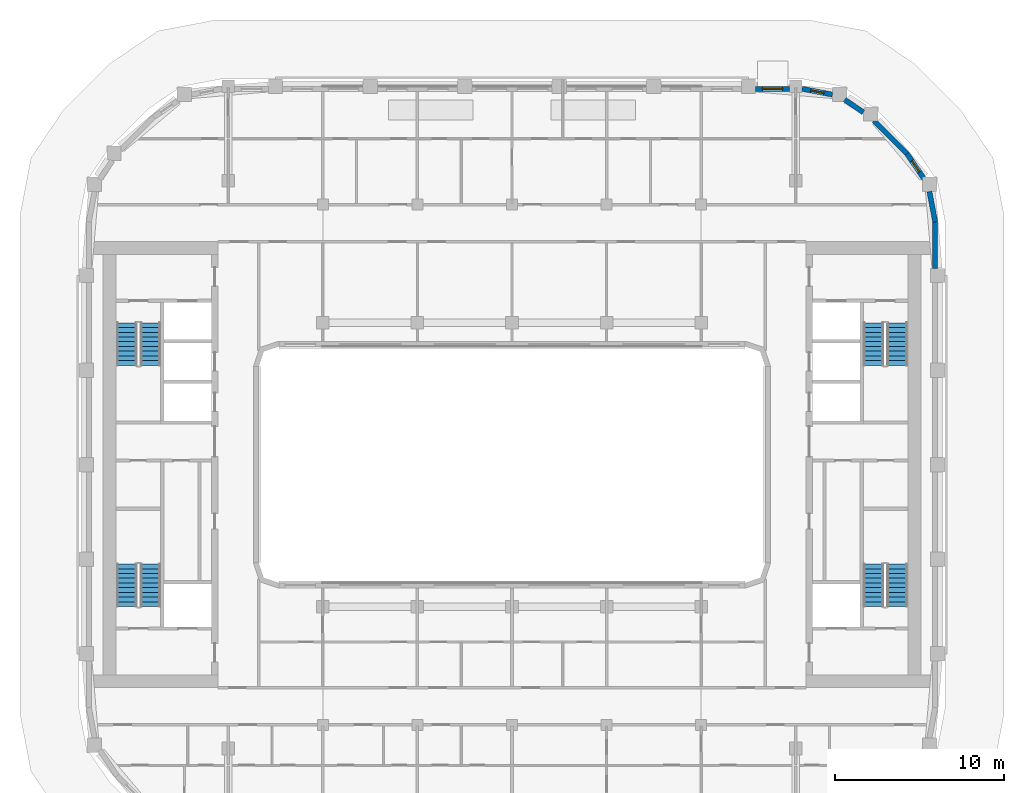
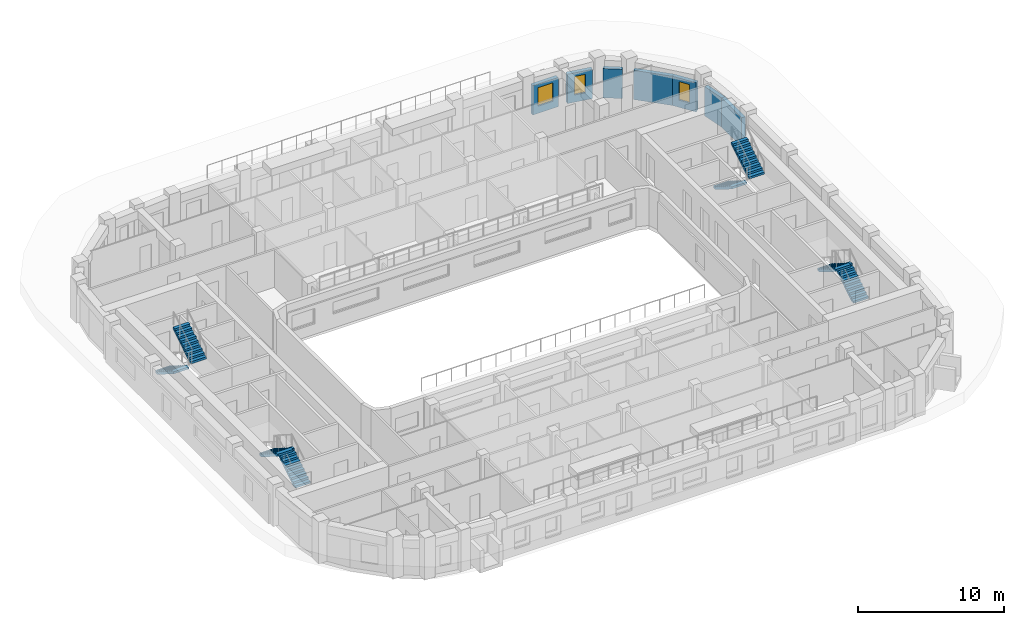
# One storey, part 9 of 16: 8 stair flights, 7 walls, 3 windows, 3 openings, 4 elements without a shape of their own.
"""IFC4 building model written with IfcOpenShell, lengths in metres."""

from ifc_helpers import new_model, si_unit, direction, frame, frame_2d, origin, place, context, subcontext, project, spatial, polyline, rectangle, outline, extrude, material, layer, layer_set, type_object, element, fill, aggregate, save


model = new_model("IFC4")

# Units and contexts
model_context = context("Model", 3, precision=1e-05, world=origin(), true_north=direction((0.0, 1.0)))
body_context = subcontext(model_context, "Body", "Model", "MODEL_VIEW")
ifc_project = project(units=[si_unit("LENGTHUNIT", "METRE"), si_unit("AREAUNIT", "SQUARE_METRE"), si_unit("VOLUMEUNIT", "CUBIC_METRE"), si_unit("PLANEANGLEUNIT", "RADIAN"), si_unit("MASSUNIT", "GRAM", prefix="KILO")], contexts=[model_context])

# Site, building, storey
site_placement = place(None, origin())
site = spatial("IfcSite", under=ifc_project, at=site_placement, CompositionType="ELEMENT")
building_placement = place(site_placement, origin())
building = spatial("IfcBuilding", under=site, at=building_placement, Name="Kiln Ring Residences", CompositionType="ELEMENT")
storey_placement = place(building_placement, frame((0.0, 0.0, 227.39990234375)))
storey = spatial("IfcBuildingStorey", under=building, at=storey_placement, Name="L59", CompositionType="ELEMENT", Elevation=227.39990234375)

# Walls
ifc_material_1 = material(Name="Brick masonry, dark clay brick", Category="masonry")
ifc_layer = layer(ifc_material_1, 0.300048828125)
ifc_layer_set = layer_set([ifc_layer], Name="EW-300 BRICK WALL")
wall_type = type_object("IfcWallType", Name="EW-300 BRICK WALL", PredefinedType="SOLIDWALL", material=ifc_layer_set)
wall_1_placement = place(storey_placement, frame((25.050048828125, 11.625, 0.0), z_axis=(0.0, 0.0, 1.0), x_axis=(0.0, 1.0, 0.0)))
element("IfcWall", 1, at=wall_1_placement, inside=storey, type_object=wall_type, Name="Facade wall L59 21", PredefinedType="SOLIDWALL", context=body_context, shape_type="SweptSolid", body=[
    extrude(rectangle(XDim=2.77490234375, YDim=0.300048828125, at=frame_2d((1.387451171875, 0.0))), origin(), (0.0, 0.0, 1.0), 2.4501953125),
])
wall_2_placement = place(storey_placement, frame((25.052734375, 14.371826171875, 0.0), z_axis=(0.0, 0.0, 1.0), x_axis=(-0.187442908742, 0.982275499014, 0.0)))
element("IfcWall", 2, at=wall_2_placement, inside=storey, type_object=wall_type, Name="Facade wall L59 22", PredefinedType="SOLIDWALL", context=body_context, shape_type="SweptSolid", body=[
    extrude(rectangle(XDim=1.831298828125, YDim=0.300048828125, at=frame_2d((0.91552734375, 0.0))), origin(), (0.0, 0.0, 1.0), 2.4501953125),
])

# Wall, opening, window
wall_3_placement = place(storey_placement, frame((24.408203125, 16.898193359375, 0.0), z_axis=(0.0, 0.0, 1.0), x_axis=(-0.562062033417, 0.827095079535, 0.0)))
wall_3 = element("IfcWall", 3, at=wall_3_placement, inside=storey, type_object=wall_type, Name="Facade wall L59 23", PredefinedType="SOLIDWALL", context=body_context, shape_type="SweptSolid", body=[
    extrude(rectangle(XDim=1.831298828125, YDim=0.300048828125, at=frame_2d((0.91552734375, 0.0))), origin(), (0.0, 0.0, 1.0), 2.4501953125),
])
opening_1_placement = place(wall_3_placement, frame((0.515625, 0.0, 0.60009765625)))
opening_1 = element("IfcOpeningElement", 4, at=opening_1_placement, cuts=wall_3, Name="Opening W5", PredefinedType="OPENING", context=body_context, shape_type="SweptSolid", body=[
    extrude(rectangle(XDim=0.800048828125, YDim=1.550048828125, at=frame_2d((0.39990234375, 0.77490234375))), frame((0.0, 0.159912109375, 0.0), z_axis=(0.0, -1.0, 0.0), x_axis=(1.0, 0.0, 0.0)), (0.0, 0.0, 1.0), 0.320068359375),
])
ifc_material_2 = material(Name="Aluminium frame with double glazing", Category="aluminium")
window_type_1 = type_object("IfcWindowType", Name="WINDOW 800 x 1550", PartitioningType="SINGLE_PANEL", PredefinedType="WINDOW", material=ifc_material_2)
window_1_placement = place(opening_1_placement, origin())
window_1 = element("IfcWindow", 5, at=window_1_placement, inside=storey, type_object=window_type_1, Name="Window L59 18", OverallHeight=1.550048828125, OverallWidth=0.800048828125, PartitioningType="SINGLE_PANEL", PredefinedType="WINDOW", context=body_context, shape_type="SweptSolid", body=[
    extrude(rectangle(XDim=0.800048828125, YDim=1.550048828125, at=frame_2d((0.39990234375, 0.77490234375))), frame((0.0, 0.030029296875, 0.0), z_axis=(0.0, -1.0, 0.0), x_axis=(1.0, 0.0, 0.0)), (0.0, 0.0, 1.0), 0.06005859375),
])
fill(opening_1, window_1)

# Walls
wall_4_placement = place(storey_placement, frame((23.39697265625, 18.390869140625, 0.0), z_axis=(0.0, 0.0, 1.0), x_axis=(-0.707106781187, 0.707106781187, 0.0)))
element("IfcWall", 6, at=wall_4_placement, inside=storey, type_object=wall_type, Name="Facade wall L59 24", PredefinedType="SOLIDWALL", context=body_context, shape_type="SweptSolid", body=[
    extrude(rectangle(XDim=2.775146484375, YDim=0.300048828125, at=frame_2d((1.3876953125, 0.0))), origin(), (0.0, 0.0, 1.0), 2.4501953125),
])
wall_5_placement = place(storey_placement, frame((20.7958984375, 20.862060546875, 0.0), z_axis=(0.0, 0.0, 1.0), x_axis=(-0.827035970432, 0.562149004813, 0.0)))
element("IfcWall", 7, at=wall_5_placement, inside=storey, type_object=wall_type, Name="Facade wall L59 25", PredefinedType="SOLIDWALL", context=body_context, shape_type="SweptSolid", body=[
    extrude(rectangle(XDim=1.3271484375, YDim=0.300048828125, at=frame_2d((0.66357421875, 0.0))), origin(), (0.0, 0.0, 1.0), 2.4501953125),
])

# Wall, opening, window
wall_6_placement = place(storey_placement, frame((18.970703125, 21.90966796875, 0.0), z_axis=(0.0, 0.0, 1.0), x_axis=(-0.982300037503, 0.187314271538, 0.0)))
wall_6 = element("IfcWall", 8, at=wall_6_placement, inside=storey, type_object=wall_type, Name="Facade wall L59 26", PredefinedType="SOLIDWALL", context=body_context, shape_type="SweptSolid", body=[
    extrude(rectangle(XDim=1.831298828125, YDim=0.300048828125, at=frame_2d((0.91552734375, 0.0))), origin(), (0.0, 0.0, 1.0), 2.4501953125),
])
opening_2_placement = place(wall_6_placement, frame((0.515625, 0.0, 0.60009765625)))
opening_2 = element("IfcOpeningElement", 9, at=opening_2_placement, cuts=wall_6, Name="Opening W5", PredefinedType="OPENING", context=body_context, shape_type="SweptSolid", body=[
    extrude(rectangle(XDim=0.800048828125, YDim=1.550048828125, at=frame_2d((0.39990234375, 0.77490234375))), frame((0.0, 0.159912109375, 0.0), z_axis=(0.0, -1.0, 0.0), x_axis=(1.0, 0.0, 0.0)), (0.0, 0.0, 1.0), 0.320068359375),
])
window_2_placement = place(opening_2_placement, origin())
window_2 = element("IfcWindow", 10, at=window_2_placement, inside=storey, type_object=window_type_1, Name="Window L59 19", OverallHeight=1.550048828125, OverallWidth=0.800048828125, PartitioningType="SINGLE_PANEL", PredefinedType="WINDOW", context=body_context, shape_type="SweptSolid", body=[
    extrude(rectangle(XDim=0.800048828125, YDim=1.550048828125, at=frame_2d((0.39990234375, 0.77490234375))), frame((0.0, 0.030029296875, 0.0), z_axis=(0.0, -1.0, 0.0), x_axis=(1.0, 0.0, 0.0)), (0.0, 0.0, 1.0), 0.06005859375),
])
fill(opening_2, window_2)

wall_7_placement = place(storey_placement, frame((16.425048828125, 22.25, 0.0), z_axis=(0.0, 0.0, 1.0), x_axis=(-1.0, 0.0, 0.0)))
wall_7 = element("IfcWall", 11, at=wall_7_placement, inside=storey, type_object=wall_type, Name="Facade wall L59 27", PredefinedType="SOLIDWALL", context=body_context, shape_type="SweptSolid", body=[
    extrude(rectangle(XDim=2.0, YDim=0.300048828125, at=frame_2d((1.0, 0.0))), origin(), (0.0, 0.0, 1.0), 2.4501953125),
])
opening_3_placement = place(wall_7_placement, frame((0.39990234375, 0.0, 0.60009765625)))
opening_3 = element("IfcOpeningElement", 12, at=opening_3_placement, cuts=wall_7, Name="Opening W1", PredefinedType="OPENING", context=body_context, shape_type="SweptSolid", body=[
    extrude(rectangle(XDim=1.199951171875, YDim=1.550048828125, at=frame_2d((0.60009765625, 0.77490234375))), frame((0.0, 0.159912109375, 0.0), z_axis=(0.0, -1.0, 0.0), x_axis=(1.0, 0.0, 0.0)), (0.0, 0.0, 1.0), 0.320068359375),
])
ifc_material_3 = material(Name="Aluminium frame with double glazing", Category="aluminium")
window_type_2 = type_object("IfcWindowType", Name="WINDOW 1200 x 1550", PartitioningType="SINGLE_PANEL", PredefinedType="WINDOW", material=ifc_material_3)
window_3_placement = place(opening_3_placement, origin())
window_3 = element("IfcWindow", 13, at=window_3_placement, inside=storey, type_object=window_type_2, Name="Window L59 20", OverallHeight=1.550048828125, OverallWidth=1.199951171875, PartitioningType="SINGLE_PANEL", PredefinedType="WINDOW", context=body_context, shape_type="SweptSolid", body=[
    extrude(rectangle(XDim=1.199951171875, YDim=1.550048828125, at=frame_2d((0.60009765625, 0.77490234375))), frame((0.0, 0.030029296875, 0.0), z_axis=(0.0, -1.0, 0.0), x_axis=(1.0, 0.0, 0.0)), (0.0, 0.0, 1.0), 0.06005859375),
])
fill(opening_3, window_3)

# Stair, stair flights
ifc_material_4 = material(Name="Concrete C40/50", Category="concrete")
stair_type = type_object("IfcStairType", Name="CORE-STAIR", PredefinedType="HALF_TURN_STAIR", material=ifc_material_4)
placement = place(storey_placement, origin())
stair_1 = element("IfcStair", 14, at=placement, inside=storey, type_object=stair_type, Name="L59 stair W-STN", PredefinedType="HALF_TURN_STAIR")
ifc_material_5 = material(Name="Concrete C40/50", Category="concrete")
stair_flight_type = type_object("IfcStairFlightType", Name="CORE-STAIR-FLIGHT", PredefinedType="STRAIGHT", material=ifc_material_5)
stair_flight_1_placement = place(storey_placement, frame((-22.800048828125, 8.39990234375, 0.0), z_axis=(0.0, 0.0, 1.0), x_axis=(0.0, -1.0, 0.0)))
stair_flight_1 = element("IfcStairFlight", 15, at=stair_flight_1_placement, type_object=stair_flight_type, Name="W-STN flight 1", NumberOfRisers=10, NumberOfTreads=9, PredefinedType="STRAIGHT", RiserHeight=0.175, TreadLength=0.28, context=body_context, shape_type="SweptSolid", body=[
    extrude(outline(polyline([(0.0, 0.0), (0.0, 0.175048828125), (0.280029296875, 0.175048828125), (0.280029296875, 0.35009765625), (0.56005859375, 0.35009765625), (0.56005859375, 0.52490234375), (0.840087890625, 0.52490234375), (0.840087890625, 0.699951171875), (1.1201171875, 0.699951171875), (1.1201171875, 0.875), (1.39990234375, 0.875), (1.39990234375, 1.050048828125), (1.679931640625, 1.050048828125), (1.679931640625, 1.22509765625), (1.9599609375, 1.22509765625), (1.9599609375, 1.39990234375), (2.239990234375, 1.39990234375), (2.239990234375, 1.574951171875), (2.52001953125, 1.574951171875), (2.52001953125, 1.75), (2.52001953125, 1.398193359375), (0.28271484375, 0.0), (0.0, 0.0)])), frame((0.0, 0.60009765625, 0.0), z_axis=(0.0, -1.0, 0.0), x_axis=(1.0, 0.0, 0.0)), (0.0, 0.0, 1.0), 1.199951171875),
])
stair_flight_2_placement = place(storey_placement, frame((-21.39990234375, 5.8798828125, 1.75), z_axis=(0.0, 0.0, 1.0), x_axis=(0.0, 1.0, 0.0)))
stair_flight_2 = element("IfcStairFlight", 16, at=stair_flight_2_placement, type_object=stair_flight_type, Name="W-STN flight 2", NumberOfRisers=10, NumberOfTreads=9, PredefinedType="STRAIGHT", RiserHeight=0.175, TreadLength=0.28, context=body_context, shape_type="SweptSolid", body=[
    extrude(outline(polyline([(0.0, 0.0), (0.0, 0.175048828125), (0.280029296875, 0.175048828125), (0.280029296875, 0.35009765625), (0.56005859375, 0.35009765625), (0.56005859375, 0.52490234375), (0.840087890625, 0.52490234375), (0.840087890625, 0.699951171875), (1.1201171875, 0.699951171875), (1.1201171875, 0.875), (1.39990234375, 0.875), (1.39990234375, 1.050048828125), (1.679931640625, 1.050048828125), (1.679931640625, 1.22509765625), (1.9599609375, 1.22509765625), (1.9599609375, 1.39990234375), (2.239990234375, 1.39990234375), (2.239990234375, 1.574951171875), (2.52001953125, 1.574951171875), (2.52001953125, 1.75), (2.52001953125, 1.398193359375), (0.28271484375, 0.0), (0.0, 0.0)])), frame((0.0, 0.60009765625, 0.0), z_axis=(0.0, -1.0, 0.0), x_axis=(1.0, 0.0, 0.0)), (0.0, 0.0, 1.0), 1.199951171875),
])
aggregate(stair_1, [stair_flight_1, stair_flight_2])

stair_2 = element("IfcStair", 17, at=placement, inside=storey, type_object=stair_type, Name="L59 stair W-STS", PredefinedType="HALF_TURN_STAIR")
stair_flight_3_placement = place(storey_placement, frame((-21.39990234375, -8.39990234375, 0.0), z_axis=(0.0, 0.0, 1.0), x_axis=(0.0, 1.0, 0.0)))
stair_flight_3 = element("IfcStairFlight", 18, at=stair_flight_3_placement, type_object=stair_flight_type, Name="W-STS flight 1", NumberOfRisers=10, NumberOfTreads=9, PredefinedType="STRAIGHT", RiserHeight=0.175, TreadLength=0.28, context=body_context, shape_type="SweptSolid", body=[
    extrude(outline(polyline([(0.0, 0.0), (0.0, 0.175048828125), (0.280029296875, 0.175048828125), (0.280029296875, 0.35009765625), (0.56005859375, 0.35009765625), (0.56005859375, 0.52490234375), (0.840087890625, 0.52490234375), (0.840087890625, 0.699951171875), (1.1201171875, 0.699951171875), (1.1201171875, 0.875), (1.39990234375, 0.875), (1.39990234375, 1.050048828125), (1.679931640625, 1.050048828125), (1.679931640625, 1.22509765625), (1.9599609375, 1.22509765625), (1.9599609375, 1.39990234375), (2.239990234375, 1.39990234375), (2.239990234375, 1.574951171875), (2.52001953125, 1.574951171875), (2.52001953125, 1.75), (2.52001953125, 1.398193359375), (0.28271484375, 0.0), (0.0, 0.0)])), frame((0.0, 0.60009765625, 0.0), z_axis=(0.0, -1.0, 0.0), x_axis=(1.0, 0.0, 0.0)), (0.0, 0.0, 1.0), 1.199951171875),
])
stair_flight_4_placement = place(storey_placement, frame((-22.800048828125, -5.8798828125, 1.75), z_axis=(0.0, 0.0, 1.0), x_axis=(0.0, -1.0, 0.0)))
stair_flight_4 = element("IfcStairFlight", 19, at=stair_flight_4_placement, type_object=stair_flight_type, Name="W-STS flight 2", NumberOfRisers=10, NumberOfTreads=9, PredefinedType="STRAIGHT", RiserHeight=0.175, TreadLength=0.28, context=body_context, shape_type="SweptSolid", body=[
    extrude(outline(polyline([(0.0, 0.0), (0.0, 0.175048828125), (0.280029296875, 0.175048828125), (0.280029296875, 0.35009765625), (0.56005859375, 0.35009765625), (0.56005859375, 0.52490234375), (0.840087890625, 0.52490234375), (0.840087890625, 0.699951171875), (1.1201171875, 0.699951171875), (1.1201171875, 0.875), (1.39990234375, 0.875), (1.39990234375, 1.050048828125), (1.679931640625, 1.050048828125), (1.679931640625, 1.22509765625), (1.9599609375, 1.22509765625), (1.9599609375, 1.39990234375), (2.239990234375, 1.39990234375), (2.239990234375, 1.574951171875), (2.52001953125, 1.574951171875), (2.52001953125, 1.75), (2.52001953125, 1.398193359375), (0.28271484375, 0.0), (0.0, 0.0)])), frame((0.0, 0.60009765625, 0.0), z_axis=(0.0, -1.0, 0.0), x_axis=(1.0, 0.0, 0.0)), (0.0, 0.0, 1.0), 1.199951171875),
])
aggregate(stair_2, [stair_flight_3, stair_flight_4])

stair_3 = element("IfcStair", 20, at=placement, inside=storey, type_object=stair_type, Name="L59 stair E-STN", PredefinedType="HALF_TURN_STAIR")
stair_flight_5_placement = place(storey_placement, frame((21.39990234375, 8.39990234375, 0.0), z_axis=(0.0, 0.0, 1.0), x_axis=(0.0, -1.0, 0.0)))
stair_flight_5 = element("IfcStairFlight", 21, at=stair_flight_5_placement, type_object=stair_flight_type, Name="E-STN flight 1", NumberOfRisers=10, NumberOfTreads=9, PredefinedType="STRAIGHT", RiserHeight=0.175, TreadLength=0.28, context=body_context, shape_type="SweptSolid", body=[
    extrude(outline(polyline([(0.0, 0.0), (0.0, 0.175048828125), (0.280029296875, 0.175048828125), (0.280029296875, 0.35009765625), (0.56005859375, 0.35009765625), (0.56005859375, 0.52490234375), (0.840087890625, 0.52490234375), (0.840087890625, 0.699951171875), (1.1201171875, 0.699951171875), (1.1201171875, 0.875), (1.39990234375, 0.875), (1.39990234375, 1.050048828125), (1.679931640625, 1.050048828125), (1.679931640625, 1.22509765625), (1.9599609375, 1.22509765625), (1.9599609375, 1.39990234375), (2.239990234375, 1.39990234375), (2.239990234375, 1.574951171875), (2.52001953125, 1.574951171875), (2.52001953125, 1.75), (2.52001953125, 1.398193359375), (0.28271484375, 0.0), (0.0, 0.0)])), frame((0.0, 0.60009765625, 0.0), z_axis=(0.0, -1.0, 0.0), x_axis=(1.0, 0.0, 0.0)), (0.0, 0.0, 1.0), 1.199951171875),
])
stair_flight_6_placement = place(storey_placement, frame((22.800048828125, 5.8798828125, 1.75), z_axis=(0.0, 0.0, 1.0), x_axis=(0.0, 1.0, 0.0)))
stair_flight_6 = element("IfcStairFlight", 22, at=stair_flight_6_placement, type_object=stair_flight_type, Name="E-STN flight 2", NumberOfRisers=10, NumberOfTreads=9, PredefinedType="STRAIGHT", RiserHeight=0.175, TreadLength=0.28, context=body_context, shape_type="SweptSolid", body=[
    extrude(outline(polyline([(0.0, 0.0), (0.0, 0.175048828125), (0.280029296875, 0.175048828125), (0.280029296875, 0.35009765625), (0.56005859375, 0.35009765625), (0.56005859375, 0.52490234375), (0.840087890625, 0.52490234375), (0.840087890625, 0.699951171875), (1.1201171875, 0.699951171875), (1.1201171875, 0.875), (1.39990234375, 0.875), (1.39990234375, 1.050048828125), (1.679931640625, 1.050048828125), (1.679931640625, 1.22509765625), (1.9599609375, 1.22509765625), (1.9599609375, 1.39990234375), (2.239990234375, 1.39990234375), (2.239990234375, 1.574951171875), (2.52001953125, 1.574951171875), (2.52001953125, 1.75), (2.52001953125, 1.398193359375), (0.28271484375, 0.0), (0.0, 0.0)])), frame((0.0, 0.60009765625, 0.0), z_axis=(0.0, -1.0, 0.0), x_axis=(1.0, 0.0, 0.0)), (0.0, 0.0, 1.0), 1.199951171875),
])
aggregate(stair_3, [stair_flight_5, stair_flight_6])

stair_4 = element("IfcStair", 23, at=placement, inside=storey, type_object=stair_type, Name="L59 stair E-STS", PredefinedType="HALF_TURN_STAIR")
stair_flight_7_placement = place(storey_placement, frame((22.800048828125, -8.39990234375, 0.0), z_axis=(0.0, 0.0, 1.0), x_axis=(0.0, 1.0, 0.0)))
stair_flight_7 = element("IfcStairFlight", 24, at=stair_flight_7_placement, type_object=stair_flight_type, Name="E-STS flight 1", NumberOfRisers=10, NumberOfTreads=9, PredefinedType="STRAIGHT", RiserHeight=0.175, TreadLength=0.28, context=body_context, shape_type="SweptSolid", body=[
    extrude(outline(polyline([(0.0, 0.0), (0.0, 0.175048828125), (0.280029296875, 0.175048828125), (0.280029296875, 0.35009765625), (0.56005859375, 0.35009765625), (0.56005859375, 0.52490234375), (0.840087890625, 0.52490234375), (0.840087890625, 0.699951171875), (1.1201171875, 0.699951171875), (1.1201171875, 0.875), (1.39990234375, 0.875), (1.39990234375, 1.050048828125), (1.679931640625, 1.050048828125), (1.679931640625, 1.22509765625), (1.9599609375, 1.22509765625), (1.9599609375, 1.39990234375), (2.239990234375, 1.39990234375), (2.239990234375, 1.574951171875), (2.52001953125, 1.574951171875), (2.52001953125, 1.75), (2.52001953125, 1.398193359375), (0.28271484375, 0.0), (0.0, 0.0)])), frame((0.0, 0.60009765625, 0.0), z_axis=(0.0, -1.0, 0.0), x_axis=(1.0, 0.0, 0.0)), (0.0, 0.0, 1.0), 1.199951171875),
])
stair_flight_8_placement = place(storey_placement, frame((21.39990234375, -5.8798828125, 1.75), z_axis=(0.0, 0.0, 1.0), x_axis=(0.0, -1.0, 0.0)))
stair_flight_8 = element("IfcStairFlight", 25, at=stair_flight_8_placement, type_object=stair_flight_type, Name="E-STS flight 2", NumberOfRisers=10, NumberOfTreads=9, PredefinedType="STRAIGHT", RiserHeight=0.175, TreadLength=0.28, context=body_context, shape_type="SweptSolid", body=[
    extrude(outline(polyline([(0.0, 0.0), (0.0, 0.175048828125), (0.280029296875, 0.175048828125), (0.280029296875, 0.35009765625), (0.56005859375, 0.35009765625), (0.56005859375, 0.52490234375), (0.840087890625, 0.52490234375), (0.840087890625, 0.699951171875), (1.1201171875, 0.699951171875), (1.1201171875, 0.875), (1.39990234375, 0.875), (1.39990234375, 1.050048828125), (1.679931640625, 1.050048828125), (1.679931640625, 1.22509765625), (1.9599609375, 1.22509765625), (1.9599609375, 1.39990234375), (2.239990234375, 1.39990234375), (2.239990234375, 1.574951171875), (2.52001953125, 1.574951171875), (2.52001953125, 1.75), (2.52001953125, 1.398193359375), (0.28271484375, 0.0), (0.0, 0.0)])), frame((0.0, 0.60009765625, 0.0), z_axis=(0.0, -1.0, 0.0), x_axis=(1.0, 0.0, 0.0)), (0.0, 0.0, 1.0), 1.199951171875),
])
aggregate(stair_4, [stair_flight_7, stair_flight_8])

save(model, "model.ifc")
